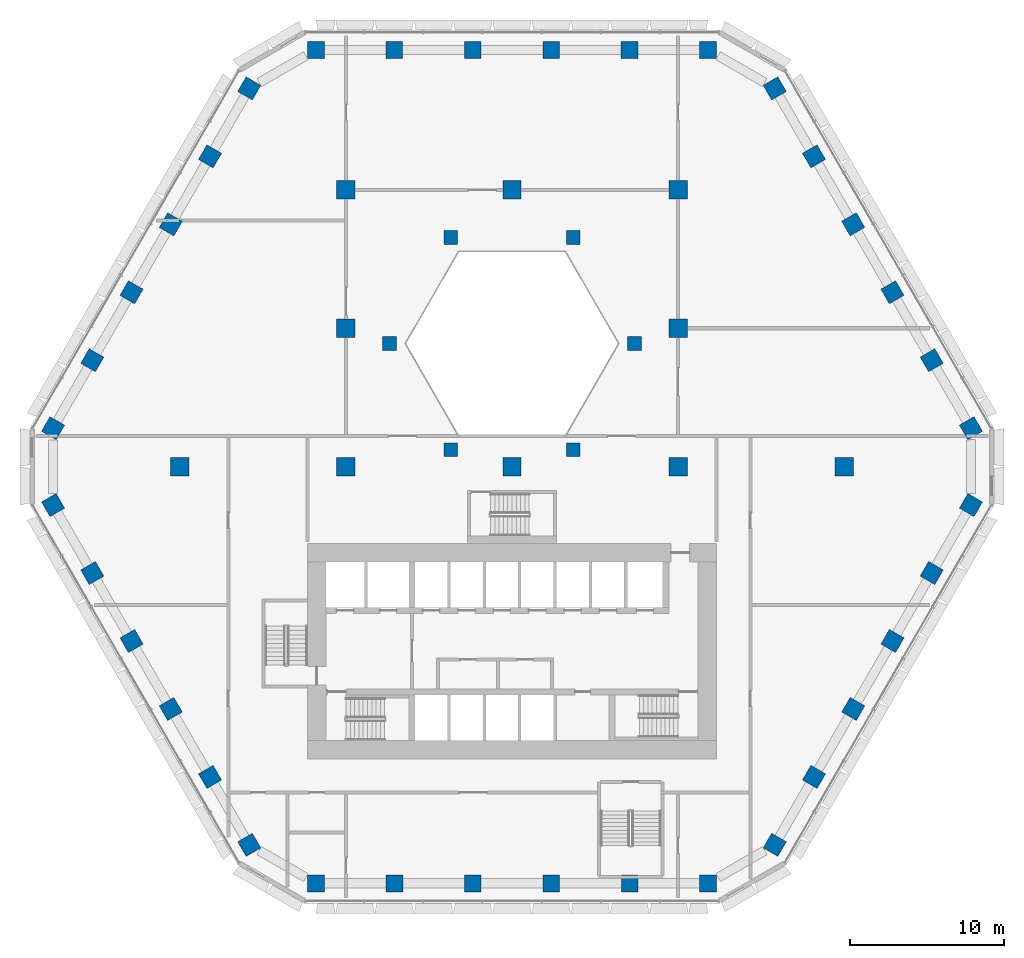
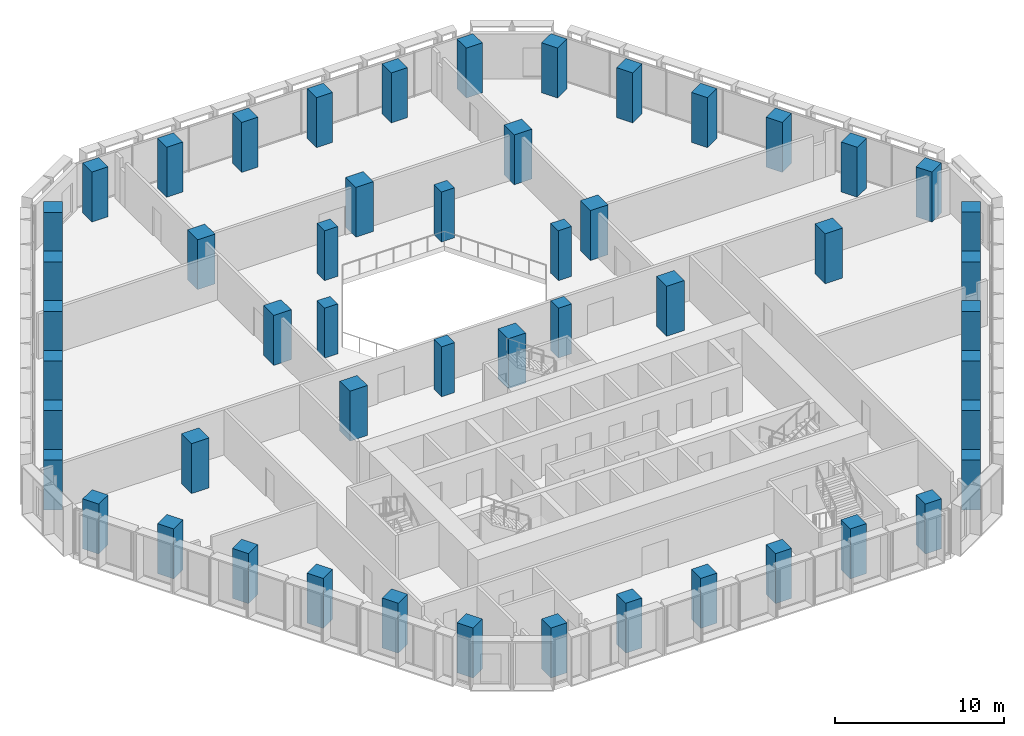
# One storey, part 1 of 22: 52 columns.
"""IFC4 building model written with IfcOpenShell, lengths in metres."""

import ifcopenshell
import ifcopenshell.guid

model = None  # the IFC model being written
_history = None  # IfcOwnerHistory: only IFC2X3 demands one
_inside = {}  # id of a spatial element -> (the spatial element, [elements in it])
_under = {}  # id of a project, library or spatial element -> (it, [spatial elements below it])
_declared = {}  # id of a project -> (the project, [libraries it declares])
_typed = {}  # id of a type object -> (the type object, [elements of that type])
_made_of = {}  # id of a material, layer set ... -> (it, [elements and type objects made of it])


def new_model(schema):
    """Start an empty IFC model of exactly this schema.

    Asked for "IFC4X3", IfcOpenShell would pick the latest addendum, in which some entities
    have other attributes; the version numbers below select the first issue.
    IFC2X3 requires an IfcOwnerHistory on every rooted entity: one is made here for all.
    """
    global model, _history
    if schema == "IFC4X3":
        model = ifcopenshell.file(schema_version=(4, 3, 0, 0))
    else:
        model = ifcopenshell.file(schema=schema)
    _inside.clear()
    _under.clear()
    _declared.clear()
    _typed.clear()
    _made_of.clear()
    _history = None
    if model.schema == "IFC2X3":
        org = make("IfcOrganization", Name="unknown")
        user = make(
            "IfcPersonAndOrganization",
            ThePerson=make("IfcPerson", FamilyName="unknown"),
            TheOrganization=org,
        )
        app = make(
            "IfcApplication",
            ApplicationDeveloper=org,
            Version="unknown",
            ApplicationFullName="unknown",
            ApplicationIdentifier="unknown",
        )
        _history = make(
            "IfcOwnerHistory",
            OwningUser=user,
            OwningApplication=app,
            ChangeAction="ADDED",
            CreationDate=0,
        )
    return model


def make(cls, **values):
    """One entity of the class cls with the attributes given. An attribute that is None is left unset."""
    return model.create_entity(
        cls, **{name: value for name, value in values.items() if value is not None}
    )


def rooted(cls, **values):
    """An entity with a GlobalId (a new one), such as an element, a storey or a relation."""
    return make(cls, GlobalId=ifcopenshell.guid.new(), OwnerHistory=_history, **values)


def si_unit(unit_type, name, prefix=None):
    """IfcSIUnit, for example si_unit("LENGTHUNIT", "METRE", prefix="MILLI")."""
    return make("IfcSIUnit", UnitType=unit_type, Prefix=prefix, Name=name)


def assignment(units):
    """IfcUnitAssignment: the units of a project."""
    return None if units is None else make("IfcUnitAssignment", Units=units)


def point(xyz):
    """IfcCartesianPoint."""
    return None if xyz is None else make("IfcCartesianPoint", Coordinates=xyz)


def direction(xyz):
    """IfcDirection."""
    return None if xyz is None else make("IfcDirection", DirectionRatios=xyz)


def frame(location, z_axis=None, x_axis=None):
    """IfcAxis2Placement3D, a coordinate frame: its origin and axes. An axis left out is left unset."""
    return make(
        "IfcAxis2Placement3D",
        Location=point(location),
        Axis=direction(z_axis),
        RefDirection=direction(x_axis),
    )


def frame_2d(location, x_axis=None):
    """IfcAxis2Placement2D, a coordinate frame in the plane: its origin and x axis."""
    return make(
        "IfcAxis2Placement2D", Location=point(location), RefDirection=direction(x_axis)
    )


def origin():
    """The frame at (0, 0, 0) with its axes left unset."""
    return frame((0.0, 0.0, 0.0))


def origin_2d():
    """The frame at (0, 0) in the plane with its x axis left unset."""
    return frame_2d((0.0, 0.0))


def place(relative_to, where):
    """IfcLocalPlacement: puts the frame where relative to a parent placement (None: the world)."""
    return make(
        "IfcLocalPlacement", PlacementRelTo=relative_to, RelativePlacement=where
    )


def context(
    kind, dimensions, precision=None, world=None, true_north=None, identifier=None
):
    """IfcGeometricRepresentationContext, for example the 3D "Model" context."""
    return make(
        "IfcGeometricRepresentationContext",
        ContextIdentifier=identifier,
        ContextType=kind,
        CoordinateSpaceDimension=dimensions,
        Precision=precision,
        WorldCoordinateSystem=world,
        TrueNorth=true_north,
    )


def subcontext(parent, identifier, kind, view, scale=None):
    """IfcGeometricRepresentationSubContext, for example "Body" below "Model"."""
    return make(
        "IfcGeometricRepresentationSubContext",
        ContextIdentifier=identifier,
        ContextType=kind,
        ParentContext=parent,
        TargetScale=scale,
        TargetView=view,
    )


def project(units=None, contexts=None):
    """IfcProject with its units and contexts."""
    return rooted(
        "IfcProject",
        Name="project",
        RepresentationContexts=contexts,
        UnitsInContext=assignment(units),
    )


def spatial(cls, under=None, at=None, **own):
    """A site, building, storey or space (cls), placed at a placement, below another one or the project."""
    s = rooted(cls, ObjectPlacement=at, **own)
    if under is not None:
        _under.setdefault(under.id(), (under, []))[1].append(s)
    return s


def profile(cls, at=None, kind="AREA", **sizes):
    """A parametric profile (cls). Its sizes go by their IFC names, for example OverallWidth=200.0."""
    return make(cls, ProfileType=kind, Position=at, **sizes)


def rectangle(**sizes):
    """IfcRectangleProfileDef."""
    return profile("IfcRectangleProfileDef", **sizes)


def extrude(swept, where, along, depth):
    """IfcExtrudedAreaSolid: the profile swept, set in the frame where, extruded along a direction by depth."""
    return make(
        "IfcExtrudedAreaSolid",
        SweptArea=swept,
        Position=where,
        ExtrudedDirection=direction(along),
        Depth=depth,
    )


def shape(context_of_items, identifier, shape_type, items):
    """IfcShapeRepresentation: the items that make up one representation, for example the "Body"."""
    return make(
        "IfcShapeRepresentation",
        ContextOfItems=context_of_items,
        RepresentationIdentifier=identifier,
        RepresentationType=shape_type,
        Items=items,
    )


def material(Name=None, Category=None):
    """IfcMaterial."""
    return make("IfcMaterial", Name=Name, Category=Category)


def material_profile(
    of_material, cross_section, Name=None, Category=None, Priority=None
):
    """IfcMaterialProfile: a cross section and its material."""
    return make(
        "IfcMaterialProfile",
        Name=Name,
        Material=of_material,
        Profile=cross_section,
        Priority=Priority,
        Category=Category,
    )


def profile_set(profiles, Name=None, composite=None):
    """IfcMaterialProfileSet."""
    return make(
        "IfcMaterialProfileSet",
        Name=Name,
        MaterialProfiles=profiles,
        CompositeProfile=composite,
    )


def made_of(thing, what):
    """Note that an element or type object is made of a material, layer set ...; save() writes the relation."""
    if what is not None:
        _made_of.setdefault(what.id(), (what, []))[1].append(thing)
    return thing


def type_object(cls, material=None, **own):
    """A type object (cls), such as IfcWallType, which elements share."""
    return made_of(rooted(cls, **own), material)


def element(
    cls,
    number,
    at=None,
    inside=None,
    cuts=None,
    type_object=None,
    material=None,
    context=None,
    identifier="Body",
    shape_type=None,
    held_by="IfcProductDefinitionShape",
    body=None,
    shapes=None,
    **own,
):
    """One element of the class cls, such as IfcWall. Its Tag is "e" and its number.

    at: its placement. inside: the storey or other place that contains it. cuts: it is an
    opening in that element (IfcRelVoidsElement). A single representation is given by context,
    identifier, shape_type and body (its items); several are given by shapes. held_by: the class
    of the entity that holds the representations. save() writes the other relations.
    """
    e = rooted(cls, Tag="e%d" % number, ObjectPlacement=at, **own)
    if body is not None:
        shapes = [shape(context, identifier, shape_type, body)]
    if shapes is not None:
        e.Representation = make(held_by, Representations=shapes)
    if inside is not None:
        _inside.setdefault(inside.id(), (inside, []))[1].append(e)
    if cuts is not None:
        rooted(
            "IfcRelVoidsElement", RelatingBuildingElement=cuts, RelatedOpeningElement=e
        )
    if type_object is not None:
        _typed.setdefault(type_object.id(), (type_object, []))[1].append(e)
    return made_of(e, material)


def aggregate(whole, parts):
    """IfcRelAggregates: a whole, such as a stair, and the parts it consists of."""
    return rooted("IfcRelAggregates", RelatingObject=whole, RelatedObjects=parts)


def save(model, path):
    """Write the relations noted so far, then the file.

    IfcRelAggregates (storeys below a building ...), IfcRelContainedInSpatialStructure (elements
    in a storey), IfcRelDefinesByType, IfcRelAssociatesMaterial and IfcRelDeclares: one each for
    every whole, place, type object, material and project.
    """
    for whole, parts in _under.values():
        aggregate(whole, parts)
    for where, things in _inside.values():
        rooted(
            "IfcRelContainedInSpatialStructure",
            RelatedElements=things,
            RelatingStructure=where,
        )
    for kind, things in _typed.values():
        rooted("IfcRelDefinesByType", RelatedObjects=things, RelatingType=kind)
    for what, things in _made_of.values():
        rooted("IfcRelAssociatesMaterial", RelatedObjects=things, RelatingMaterial=what)
    for by, libraries in _declared.values():
        rooted("IfcRelDeclares", RelatingContext=by, RelatedDefinitions=libraries)
    model.write(path)


model = new_model("IFC4")

# Units and contexts
model_context = context("Model", 3, precision=1e-05, world=origin(), true_north=direction((0.0, 1.0)))
body_context = subcontext(model_context, "Body", "Model", "MODEL_VIEW")
ifc_project = project(units=[si_unit("LENGTHUNIT", "METRE"), si_unit("AREAUNIT", "SQUARE_METRE"), si_unit("VOLUMEUNIT", "CUBIC_METRE"), si_unit("PLANEANGLEUNIT", "RADIAN"), si_unit("MASSUNIT", "GRAM", prefix="KILO")], contexts=[model_context])

# Site, building, storey
site_placement = place(None, origin())
site = spatial("IfcSite", under=ifc_project, at=site_placement, CompositionType="ELEMENT")
building_placement = place(site_placement, origin())
building = spatial("IfcBuilding", under=site, at=building_placement, Name="Beryl Residences", CompositionType="ELEMENT")
storey_placement = place(building_placement, frame((0.0, 0.0, 12.60009765625)))
storey = spatial("IfcBuildingStorey", under=building, at=storey_placement, Name="L03", CompositionType="ELEMENT", Elevation=12.60009765625)

# Columns
ifc_material_1 = material(Name="Concrete C80/95", Category="concrete")
ifc_material_profile_1 = material_profile(ifc_material_1, rectangle(XDim=1.10009765625, YDim=1.10009765625, at=origin_2d()))
ifc_profile_set_1 = profile_set([ifc_material_profile_1], Name="Concrete C80/95")
column_type_1 = type_object("IfcColumnType", Name="C1 tube column 1100 x 1100 C80/95", PredefinedType="COLUMN", material=ifc_profile_set_1)
for number, where, z_axis, x_axis, name in (
    (1, (12.759033203125, 27.10009765625, 0.0), (0.0, 0.0, 1.0), (-1.0, 0.0, 0.0), "C1-N1 L03"),
    (2, (7.655029296875, 27.10009765625, 0.0), (0.0, 0.0, 1.0), (-1.0, 0.0, 0.0), "C1-N2 L03"),
    (3, (2.551025390625, 27.10009765625, 0.0), (0.0, 0.0, 1.0), (-1.0, 0.0, 0.0), "C1-N3 L03"),
    (4, (-2.552978515625, 27.10009765625, 0.0), (0.0, 0.0, 1.0), (-1.0, 0.0, 0.0), "C1-N4 L03"),
    (5, (-7.656982421875, 27.10009765625, 0.0), (0.0, 0.0, 1.0), (-1.0, 0.0, 0.0), "C1-N5 L03"),
    (6, (-12.760986328125, 27.10009765625, 0.0), (0.0, 0.0, 1.0), (-1.0, 0.0, 0.0), "C1-N6 L03"),
    (7, (-17.090087890625, 24.60009765625, 0.0), (0.0, 0.0, 1.0), (-0.499984884929, -0.866034130299, 0.0), "C1-NW1 L03"),
    (8, (-19.64208984375, 20.179931640625, 0.0), (0.0, 0.0, 1.0), (-0.499984884929, -0.866034130299, 0.0), "C1-NW2 L03"),
    (9, (-22.194091796875, 15.759033203125, 0.0), (0.0, 0.0, 1.0), (-0.499984884929, -0.866034130299, 0.0), "C1-NW3 L03"),
    (10, (-24.74609375, 11.339111328125, 0.0), (0.0, 0.0, 1.0), (-0.499984884929, -0.866034130299, 0.0), "C1-NW4 L03"),
    (11, (-27.298095703125, 6.9189453125, 0.0), (0.0, 0.0, 1.0), (-0.499984884929, -0.866034130299, 0.0), "C1-NW5 L03"),
    (12, (-29.84912109375, 2.4990234375, 0.0), (0.0, 0.0, 1.0), (-0.499984884929, -0.866034130299, 0.0), "C1-NW6 L03"),
    (13, (-29.847900390625, -2.5, 0.0), (0.0, 0.0, 1.0), (0.499984884929, -0.866034130299, 0.0), "C1-SW1 L03"),
    (14, (-27.297119140625, -6.9208984375, 0.0), (0.0, 0.0, 1.0), (0.499984884929, -0.866034130299, 0.0), "C1-SW2 L03"),
    (15, (-24.7451171875, -11.341064453125, 0.0), (0.0, 0.0, 1.0), (0.499984884929, -0.866034130299, 0.0), "C1-SW3 L03"),
    (16, (-22.193115234375, -15.760986328125, 0.0), (0.0, 0.0, 1.0), (0.499984884929, -0.866034130299, 0.0), "C1-SW4 L03"),
    (17, (-19.64111328125, -20.180908203125, 0.0), (0.0, 0.0, 1.0), (0.499984884929, -0.866034130299, 0.0), "C1-SW5 L03"),
    (18, (-17.089111328125, -24.60107421875, 0.0), (0.0, 0.0, 1.0), (0.499984884929, -0.866034130299, 0.0), "C1-SW6 L03"),
    (19, (-12.759033203125, -27.10009765625, 0.0), (0.0, 0.0, 1.0), (1.0, 0.0, 0.0), "C1-S1 L03"),
    (20, (-7.655029296875, -27.10009765625, 0.0), (0.0, 0.0, 1.0), (1.0, 0.0, 0.0), "C1-S2 L03"),
    (21, (-2.551025390625, -27.10009765625, 0.0), (0.0, 0.0, 1.0), (1.0, 0.0, 0.0), "C1-S3 L03"),
    (22, (2.552978515625, -27.10009765625, 0.0), (0.0, 0.0, 1.0), (1.0, 0.0, 0.0), "C1-S4 L03"),
    (23, (7.656982421875, -27.10009765625, 0.0), (0.0, 0.0, 1.0), (1.0, 0.0, 0.0), "C1-S5 L03"),
    (24, (12.760986328125, -27.10009765625, 0.0), (0.0, 0.0, 1.0), (1.0, 0.0, 0.0), "C1-S6 L03"),
    (25, (17.090087890625, -24.60009765625, 0.0), (0.0, 0.0, 1.0), (0.499984884929, 0.866034130299, 0.0), "C1-SE1 L03"),
    (26, (19.64208984375, -20.179931640625, 0.0), (0.0, 0.0, 1.0), (0.499984884929, 0.866034130299, 0.0), "C1-SE2 L03"),
    (27, (22.194091796875, -15.759033203125, 0.0), (0.0, 0.0, 1.0), (0.499984884929, 0.866034130299, 0.0), "C1-SE3 L03"),
    (28, (24.74609375, -11.339111328125, 0.0), (0.0, 0.0, 1.0), (0.499984884929, 0.866034130299, 0.0), "C1-SE4 L03"),
    (29, (27.298095703125, -6.9189453125, 0.0), (0.0, 0.0, 1.0), (0.499984884929, 0.866034130299, 0.0), "C1-SE5 L03"),
    (30, (29.84912109375, -2.4990234375, 0.0), (0.0, 0.0, 1.0), (0.499984884929, 0.866034130299, 0.0), "C1-SE6 L03"),
    (31, (29.847900390625, 2.5, 0.0), (0.0, 0.0, 1.0), (-0.499984884929, 0.866034130299, 0.0), "C1-NE1 L03"),
    (32, (27.297119140625, 6.9208984375, 0.0), (0.0, 0.0, 1.0), (-0.499984884929, 0.866034130299, 0.0), "C1-NE2 L03"),
    (33, (24.7451171875, 11.341064453125, 0.0), (0.0, 0.0, 1.0), (-0.499984884929, 0.866034130299, 0.0), "C1-NE3 L03"),
    (34, (22.193115234375, 15.760986328125, 0.0), (0.0, 0.0, 1.0), (-0.499984884929, 0.866034130299, 0.0), "C1-NE4 L03"),
    (35, (19.64111328125, 20.180908203125, 0.0), (0.0, 0.0, 1.0), (-0.499984884929, 0.866034130299, 0.0), "C1-NE5 L03"),
    (36, (17.089111328125, 24.60107421875, 0.0), (0.0, 0.0, 1.0), (-0.499984884929, 0.866034130299, 0.0), "C1-NE6 L03"),
):
    element("IfcColumn", number, at=place(storey_placement, frame(where, z_axis=z_axis, x_axis=x_axis)), inside=storey, type_object=column_type_1, Name=name, PredefinedType="COLUMN", context=body_context, shape_type="SweptSolid", body=[
        extrude(rectangle(XDim=1.10009765625, YDim=1.10009765625, at=origin_2d()), origin(), (0.0, 0.0, 1.0), 3.599853515625),
    ])
ifc_material_2 = material(Name="Concrete C80/95", Category="concrete")
ifc_material_profile_2 = material_profile(ifc_material_2, rectangle(XDim=0.89990234375, YDim=0.89990234375, at=origin_2d()))
ifc_profile_set_2 = profile_set([ifc_material_profile_2], Name="Concrete C80/95")
column_type_2 = type_object("IfcColumnType", Name="IC1 interior column 900 x 900 C80/95", PredefinedType="COLUMN", material=ifc_profile_set_2)
for number, where, z_axis, x_axis, name in (
    (37, (3.98388671875, 1.10009765625, 0.0), (0.0, 0.0, 1.0), (1.0, 0.0, 0.0), "IC1-A07 L03"),
    (38, (7.967041015625, 8.0, 0.0), (0.0, 0.0, 1.0), (1.0, 0.0, 0.0), "IC1-A10 L03"),
    (39, (3.98388671875, 14.89990234375, 0.0), (0.0, 0.0, 1.0), (1.0, 0.0, 0.0), "IC1-A13 L03"),
    (40, (-3.98388671875, 14.89990234375, 0.0), (0.0, 0.0, 1.0), (1.0, 0.0, 0.0), "IC1-A16 L03"),
    (41, (-7.967041015625, 8.0, 0.0), (0.0, 0.0, 1.0), (1.0, 0.0, 0.0), "IC1-A19 L03"),
    (42, (-3.98388671875, 1.10009765625, 0.0), (0.0, 0.0, 1.0), (1.0, 0.0, 0.0), "IC1-A22 L03"),
):
    element("IfcColumn", number, at=place(storey_placement, frame(where, z_axis=z_axis, x_axis=x_axis)), inside=storey, type_object=column_type_2, Name=name, PredefinedType="COLUMN", context=body_context, shape_type="SweptSolid", body=[
        extrude(rectangle(XDim=0.89990234375, YDim=0.89990234375, at=origin_2d()), origin(), (0.0, 0.0, 1.0), 3.599853515625),
    ])
ifc_material_3 = material(Name="Concrete C80/95", Category="concrete")
ifc_material_profile_3 = material_profile(ifc_material_3, rectangle(XDim=1.199951171875, YDim=1.199951171875, at=origin_2d()))
ifc_profile_set_3 = profile_set([ifc_material_profile_3], Name="Concrete C80/95")
column_type_3 = type_object("IfcColumnType", Name="IG1 grid column 1200 x 1200 C80/95", PredefinedType="COLUMN", material=ifc_profile_set_3)
for number, where, z_axis, x_axis, name in (
    (43, (-21.60009765625, 0.0, 0.0), (0.0, 0.0, 1.0), (1.0, 0.0, 0.0), "IG-3D L03"),
    (44, (-10.800048828125, 0.0, 0.0), (0.0, 0.0, 1.0), (1.0, 0.0, 0.0), "IG-4D L03"),
    (45, (-10.800048828125, 9.0, 0.0), (0.0, 0.0, 1.0), (1.0, 0.0, 0.0), "IG-4E L03"),
    (46, (-10.800048828125, 18.0, 0.0), (0.0, 0.0, 1.0), (1.0, 0.0, 0.0), "IG-4F L03"),
    (47, (0.0, 0.0, 0.0), (0.0, 0.0, 1.0), (1.0, 0.0, 0.0), "IG-5D L03"),
    (48, (0.0, 18.0, 0.0), (0.0, 0.0, 1.0), (1.0, 0.0, 0.0), "IG-5F L03"),
    (49, (10.800048828125, 0.0, 0.0), (0.0, 0.0, 1.0), (1.0, 0.0, 0.0), "IG-6D L03"),
    (50, (10.800048828125, 9.0, 0.0), (0.0, 0.0, 1.0), (1.0, 0.0, 0.0), "IG-6E L03"),
    (51, (10.800048828125, 18.0, 0.0), (0.0, 0.0, 1.0), (1.0, 0.0, 0.0), "IG-6F L03"),
    (52, (21.60009765625, 0.0, 0.0), (0.0, 0.0, 1.0), (1.0, 0.0, 0.0), "IG-7D L03"),
):
    element("IfcColumn", number, at=place(storey_placement, frame(where, z_axis=z_axis, x_axis=x_axis)), inside=storey, type_object=column_type_3, Name=name, PredefinedType="COLUMN", context=body_context, shape_type="SweptSolid", body=[
        extrude(rectangle(XDim=1.199951171875, YDim=1.199951171875, at=origin_2d()), origin(), (0.0, 0.0, 1.0), 3.599853515625),
    ])

save(model, "model.ifc")
